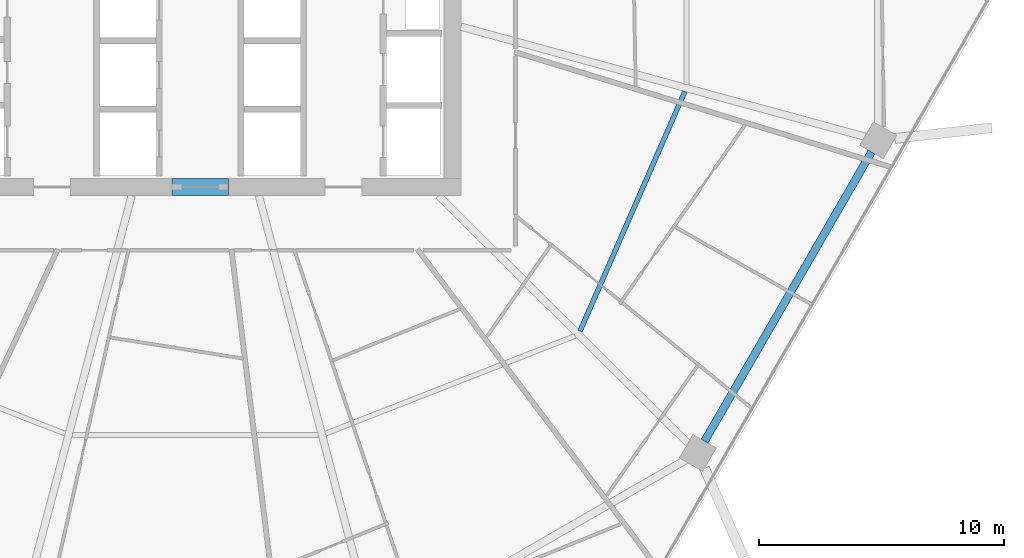
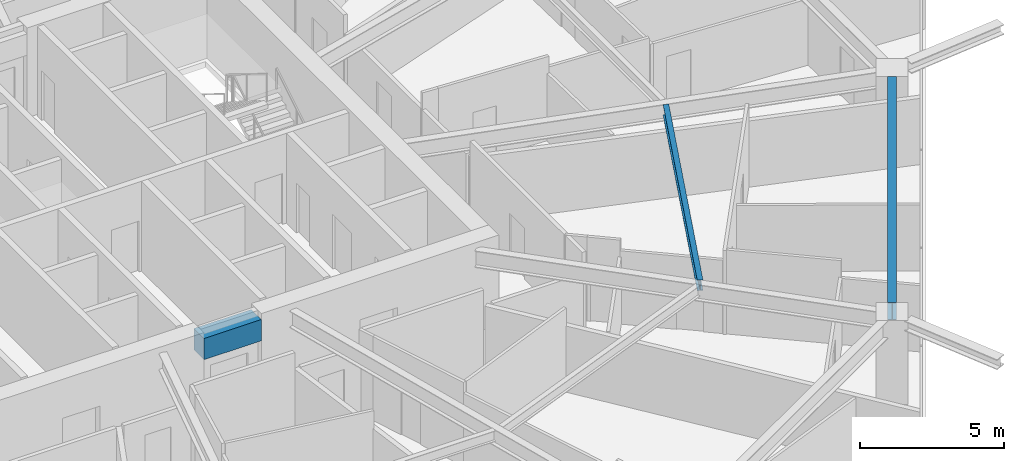
# One storey, part 10 of 33: 3 beams.
"""IFC4 building model written with IfcOpenShell, lengths in metres."""

from ifc_helpers import new_model, si_unit, direction, frame, origin, origin_2d, place, context, subcontext, project, spatial, rectangle, i_section, extrude, material, material_profile, profile_set, type_object, element, save


model = new_model("IFC4")

# Units and contexts
model_context = context("Model", 3, precision=1e-05, world=origin(), true_north=direction((0.0, 1.0)))
body_context = subcontext(model_context, "Body", "Model", "MODEL_VIEW")
ifc_project = project(units=[si_unit("LENGTHUNIT", "METRE"), si_unit("AREAUNIT", "SQUARE_METRE"), si_unit("VOLUMEUNIT", "CUBIC_METRE"), si_unit("PLANEANGLEUNIT", "RADIAN"), si_unit("MASSUNIT", "GRAM", prefix="KILO")], contexts=[model_context])

# Site, building, storey
site_placement = place(None, origin())
site = spatial("IfcSite", under=ifc_project, at=site_placement, CompositionType="ELEMENT")
building_placement = place(site_placement, origin())
building = spatial("IfcBuilding", under=site, at=building_placement, Name="Zuhravey Tower", CompositionType="ELEMENT")
storey_placement = place(building_placement, frame((0.0, 0.0, 103.800048828125)))
storey = spatial("IfcBuildingStorey", under=building, at=storey_placement, Name="L25", CompositionType="ELEMENT", Elevation=103.800048828125)

# Beams
ifc_material_1 = material(Name="Concrete C60/75", Category="concrete")
ifc_material_profile_1 = material_profile(ifc_material_1, rectangle(XDim=0.699951171875, YDim=0.89990234375, at=origin_2d()), Name="RC-700x900")
ifc_profile_set_1 = profile_set([ifc_material_profile_1], Name="Concrete C60/75")
beam_type_1 = type_object("IfcBeamType", Name="Core Coupling Beam RC700x900", PredefinedType="LINTEL", material=ifc_profile_set_1)
beam_1_placement = place(storey_placement, frame((35.052001953125, 22.5, 3.099853515625), z_axis=(1.0, 0.0, 0.0), x_axis=(0.0, 1.0, 0.0)))
element("IfcBeam", 1, at=beam_1_placement, inside=storey, type_object=beam_type_1, Name="L25 CB1 BM-L25-CB-S", PredefinedType="LINTEL", context=body_context, shape_type="SweptSolid", body=[
    extrude(rectangle(XDim=0.699951171875, YDim=0.89990234375, at=origin_2d()), origin(), (0.0, 0.0, 1.0), 2.2958984375),
])
ifc_material_2 = material(Name="Steel SM355", Category="steel")
ifc_material_profile_2 = material_profile(ifc_material_2, i_section(OverallWidth=0.320068359375, OverallDepth=0.75, WebThickness=0.013916015625, FlangeThickness=0.02490234375, at=origin_2d()), Name="H-750x320x14x25")
ifc_profile_set_2 = profile_set([ifc_material_profile_2], Name="Steel SM355")
beam_type_2 = type_object("IfcBeamType", Name="Perimeter Ring Beam H750x320", PredefinedType="BEAM", material=ifc_profile_set_2)
beam_2_placement = place(storey_placement, frame((56.79541015625, 12.1220703125, 3.175048828125), z_axis=(0.500008177929, 0.866020682204, 0.0), x_axis=(-0.866020682204, 0.500008177929, 0.0)))
element("IfcBeam", 2, at=beam_2_placement, inside=storey, type_object=beam_type_2, Name="L25 PB1 BM-L25-PB-11", PredefinedType="BEAM", context=body_context, shape_type="SweptSolid", body=[
    extrude(i_section(OverallWidth=0.320068359375, OverallDepth=0.75, WebThickness=0.013916015625, FlangeThickness=0.02490234375, at=origin_2d()), origin(), (0.0, 0.0, 1.0), 13.634033203125),
])
ifc_material_profile_3 = material_profile(ifc_material_2, i_section(OverallWidth=0.199951171875, OverallDepth=0.449951171875, WebThickness=0.009033203125, FlangeThickness=0.013916015625, at=origin_2d()), Name="H-450x200x9x14")
ifc_profile_set_3 = profile_set([ifc_material_profile_3], Name="Steel SM355")
beam_type_3 = type_object("IfcBeamType", Name="Secondary Floor Joist H450x200", PredefinedType="JOIST", material=ifc_profile_set_3)
beam_3_placement = place(storey_placement, frame((51.71044921875, 16.615966796875, 3.324951171875), z_axis=(0.400786454617, 0.916171500209, 0.0), x_axis=(-0.916171500209, 0.400786454617, 0.0)))
element("IfcBeam", 3, at=beam_3_placement, inside=storey, type_object=beam_type_3, Name="L25 SJ1 BM-L25-SJ-11-1", PredefinedType="JOIST", context=body_context, shape_type="SweptSolid", body=[
    extrude(i_section(OverallWidth=0.199951171875, OverallDepth=0.449951171875, WebThickness=0.009033203125, FlangeThickness=0.013916015625, at=origin_2d()), origin(), (0.0, 0.0, 1.0), 10.6796875),
])

save(model, "model.ifc")
